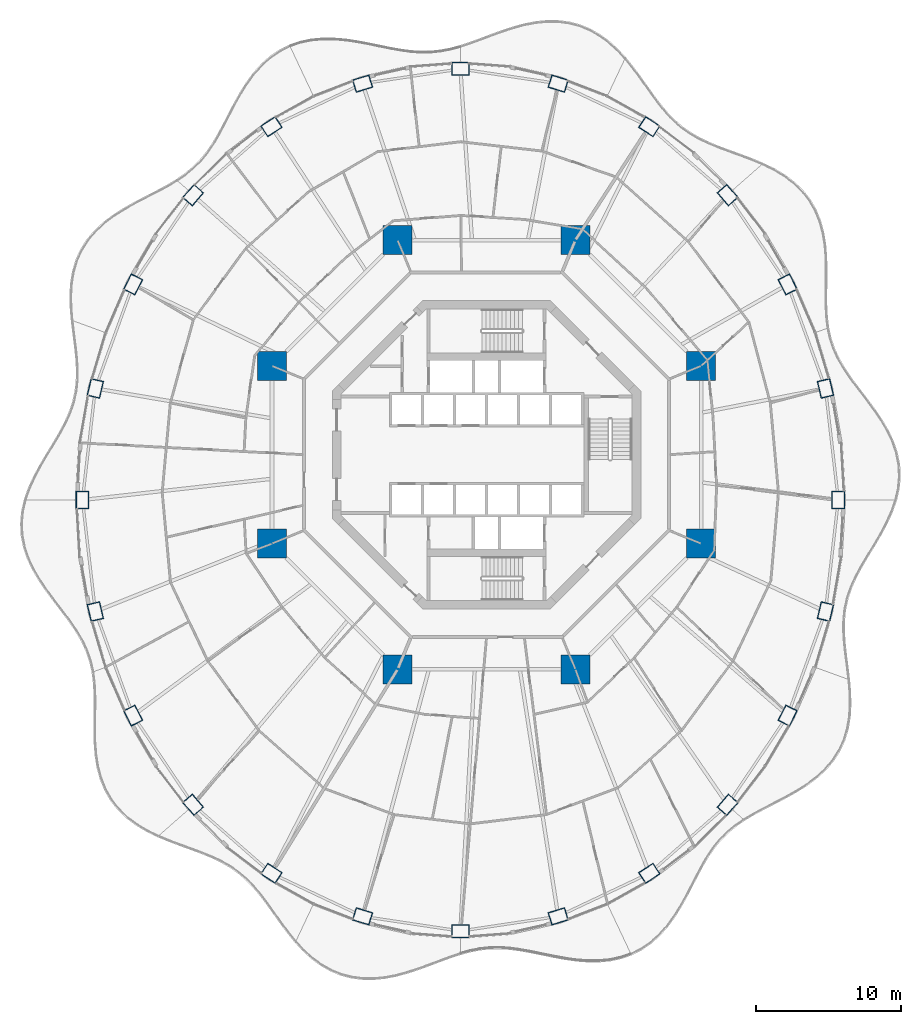
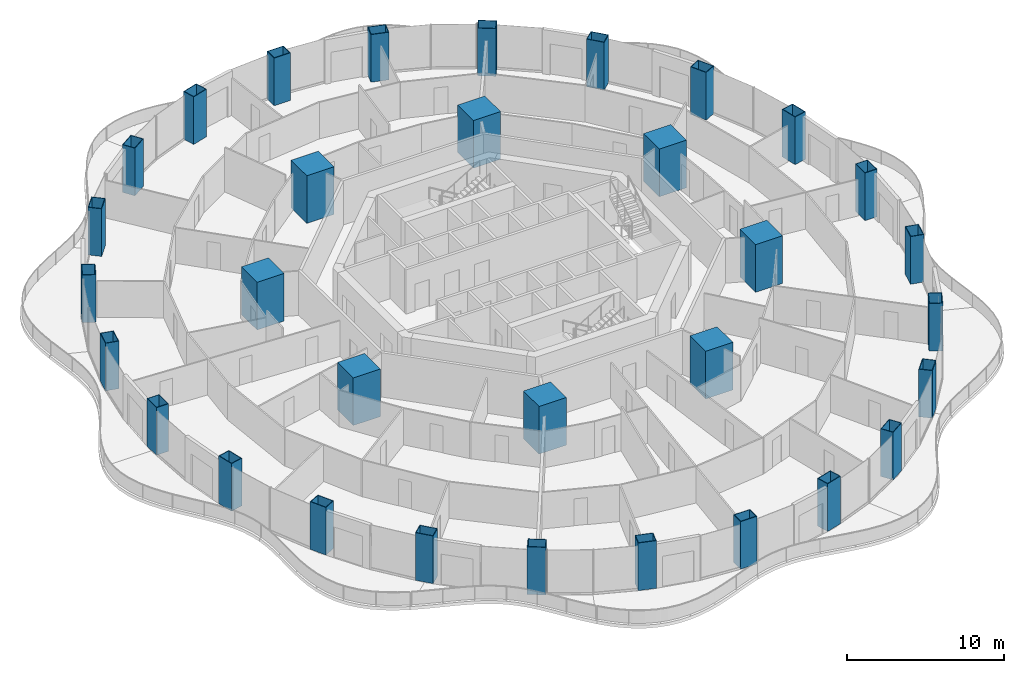
# One storey, part 1 of 20: 32 columns.
"""IFC4 building model written with IfcOpenShell, lengths in metres."""

from ifc_helpers import new_model, si_unit, direction, frame, origin, origin_2d, place, context, subcontext, project, spatial, rectangle, hollow_rectangle, extrude, material, material_profile, profile_set, type_object, element, save


model = new_model("IFC4")

# Units and contexts
model_context = context("Model", 3, precision=1e-05, world=origin(), true_north=direction((0.0, 1.0)))
body_context = subcontext(model_context, "Body", "Model", "MODEL_VIEW")
ifc_project = project(units=[si_unit("LENGTHUNIT", "METRE"), si_unit("AREAUNIT", "SQUARE_METRE"), si_unit("VOLUMEUNIT", "CUBIC_METRE"), si_unit("PLANEANGLEUNIT", "RADIAN"), si_unit("MASSUNIT", "GRAM", prefix="KILO")], contexts=[model_context])

# Site, building, storey
site_placement = place(None, origin())
site = spatial("IfcSite", under=ifc_project, at=site_placement, CompositionType="ELEMENT")
building_placement = place(site_placement, origin())
building = spatial("IfcBuilding", under=site, at=building_placement, Name="Nagisa Residences", CompositionType="ELEMENT")
storey_placement = place(building_placement, frame((0.0, 0.0, 145.5)))
storey = spatial("IfcBuildingStorey", under=building, at=storey_placement, Name="L36", CompositionType="ELEMENT", Elevation=145.5)

# Columns
ifc_material_1 = material(Name="Concrete C80", Category="concrete")
ifc_material_profile_1 = material_profile(ifc_material_1, rectangle(XDim=2.0, YDim=2.0, at=origin_2d()), Name="C80 2000x2000")
ifc_profile_set_1 = profile_set([ifc_material_profile_1], Name="Concrete C80")
column_type_1 = type_object("IfcColumnType", Name="Inner megacolumn C80 2000x2000", PredefinedType="COLUMN", material=ifc_profile_set_1)
for number, where, z_axis, x_axis, name in (
    (1, (14.781982421875, 6.123046875, 0.0), (0.0, 0.0, 1.0), (1.0, 0.0, 0.0), "col:L36:i1"),
    (2, (6.123046875, 14.781982421875, 0.0), (0.0, 0.0, 1.0), (1.0, 0.0, 0.0), "col:L36:i2"),
    (3, (-6.123046875, 14.781982421875, 0.0), (0.0, 0.0, 1.0), (1.0, 0.0, 0.0), "col:L36:i3"),
    (4, (-14.781982421875, 6.123046875, 0.0), (0.0, 0.0, 1.0), (1.0, 0.0, 0.0), "col:L36:i4"),
    (5, (-14.781982421875, -6.123046875, 0.0), (0.0, 0.0, 1.0), (1.0, 0.0, 0.0), "col:L36:i5"),
    (6, (-6.123046875, -14.781982421875, 0.0), (0.0, 0.0, 1.0), (1.0, 0.0, 0.0), "col:L36:i6"),
    (7, (6.123046875, -14.781982421875, 0.0), (0.0, 0.0, 1.0), (1.0, 0.0, 0.0), "col:L36:i7"),
    (8, (14.781982421875, -6.123046875, 0.0), (0.0, 0.0, 1.0), (1.0, 0.0, 0.0), "col:L36:i8"),
):
    element("IfcColumn", number, at=place(storey_placement, frame(where, z_axis=z_axis, x_axis=x_axis)), inside=storey, type_object=column_type_1, Name=name, PredefinedType="COLUMN", context=body_context, shape_type="SweptSolid", body=[
        extrude(rectangle(XDim=2.0, YDim=2.0, at=origin_2d()), origin(), (0.0, 0.0, 1.0), 3.699951171875),
    ])
ifc_material_2 = material(Name="Steel ASTM A572 Gr 50", Category="steel")
ifc_material_profile_2 = material_profile(ifc_material_2, hollow_rectangle(XDim=1.199951171875, YDim=0.89990234375, WallThickness=0.0400390625, at=origin_2d()), Name="BX 1200x900x40")
ifc_profile_set_2 = profile_set([ifc_material_profile_2], Name="Steel ASTM A572 Gr 50")
column_type_2 = type_object("IfcColumnType", Name="Perimeter column BX 1200x900x40", PredefinedType="COLUMN", material=ifc_profile_set_2)
for number, where, z_axis, x_axis, name in (
    (9, (24.235107421875, -3.11767578125, 0.0), (0.0, 0.0, 1.0), (0.0, 1.0, 0.0), "col:L36:p00"),
    (10, (23.347900390625, 4.56787109375, 0.0), (0.0, 0.0, 1.0), (-0.229202013103, 0.973378876486, 0.0), "col:L36:p01"),
    (11, (20.7470703125, 11.729736328125, 0.0), (0.0, 0.0, 1.0), (-0.452462697578, 0.891783329795, 0.0), "col:L36:p02"),
    (12, (16.609619140625, 17.8798828125, 0.0), (0.0, 0.0, 1.0), (-0.660114607735, 0.751164898445, 0.0), "col:L36:p03"),
    (13, (11.217529296875, 22.598876953125, 0.0), (0.0, 0.0, 1.0), (-0.835766105673, 0.54908561865, 0.0), "col:L36:p04"),
    (14, (4.938232421875, 25.5654296875, 0.0), (0.0, 0.0, 1.0), (-0.956524583408, 0.291651712384, 0.0), "col:L36:p05"),
    (15, (-1.800048828125, 26.577392578125, 0.0), (0.0, 0.0, 1.0), (-1.0, 0.0, 0.0), "col:L36:p06"),
    (16, (-8.538330078125, 25.5654296875, 0.0), (0.0, 0.0, 1.0), (-0.956524583408, -0.291651712384, 0.0), "col:L36:p07"),
    (17, (-14.8173828125, 22.598876953125, 0.0), (0.0, 0.0, 1.0), (-0.835766105673, -0.54908561865, 0.0), "col:L36:p08"),
    (18, (-20.20947265625, 17.8798828125, 0.0), (0.0, 0.0, 1.0), (-0.660114607735, -0.751164898445, 0.0), "col:L36:p09"),
    (19, (-24.346923828125, 11.729736328125, 0.0), (0.0, 0.0, 1.0), (-0.452462697578, -0.891783329795, 0.0), "col:L36:p10"),
    (20, (-26.947998046875, 4.56787109375, 0.0), (0.0, 0.0, 1.0), (-0.229202013103, -0.973378876486, 0.0), "col:L36:p11"),
    (21, (-27.8349609375, -3.11767578125, 0.0), (0.0, 0.0, 1.0), (0.0, -1.0, 0.0), "col:L36:p12"),
    (22, (-26.947998046875, -10.80322265625, 0.0), (0.0, 0.0, 1.0), (0.229202013103, -0.973378876486, 0.0), "col:L36:p13"),
    (23, (-24.346923828125, -17.965087890625, 0.0), (0.0, 0.0, 1.0), (0.452462697578, -0.891783329795, 0.0), "col:L36:p14"),
    (24, (-20.20947265625, -24.115234375, 0.0), (0.0, 0.0, 1.0), (0.660114607735, -0.751164898445, 0.0), "col:L36:p15"),
    (25, (-14.8173828125, -28.834228515625, 0.0), (0.0, 0.0, 1.0), (0.835766105673, -0.54908561865, 0.0), "col:L36:p16"),
    (26, (-8.538330078125, -31.80078125, 0.0), (0.0, 0.0, 1.0), (0.956524583408, -0.291651712384, 0.0), "col:L36:p17"),
    (27, (-1.800048828125, -32.812744140625, 0.0), (0.0, 0.0, 1.0), (1.0, 0.0, 0.0), "col:L36:p18"),
    (28, (4.938232421875, -31.80078125, 0.0), (0.0, 0.0, 1.0), (0.956524583408, 0.291651712384, 0.0), "col:L36:p19"),
    (29, (11.217529296875, -28.834228515625, 0.0), (0.0, 0.0, 1.0), (0.835766105673, 0.54908561865, 0.0), "col:L36:p20"),
    (30, (16.609619140625, -24.115234375, 0.0), (0.0, 0.0, 1.0), (0.660114607735, 0.751164898445, 0.0), "col:L36:p21"),
    (31, (20.7470703125, -17.965087890625, 0.0), (0.0, 0.0, 1.0), (0.452462697578, 0.891783329795, 0.0), "col:L36:p22"),
    (32, (23.347900390625, -10.80322265625, 0.0), (0.0, 0.0, 1.0), (0.229202013103, 0.973378876486, 0.0), "col:L36:p23"),
):
    element("IfcColumn", number, at=place(storey_placement, frame(where, z_axis=z_axis, x_axis=x_axis)), inside=storey, type_object=column_type_2, Name=name, PredefinedType="COLUMN", context=body_context, shape_type="SweptSolid", body=[
        extrude(hollow_rectangle(XDim=1.199951171875, YDim=0.89990234375, WallThickness=0.0400390625, at=origin_2d()), origin(), (0.0, 0.0, 1.0), 3.699951171875),
    ])

save(model, "model.ifc")
